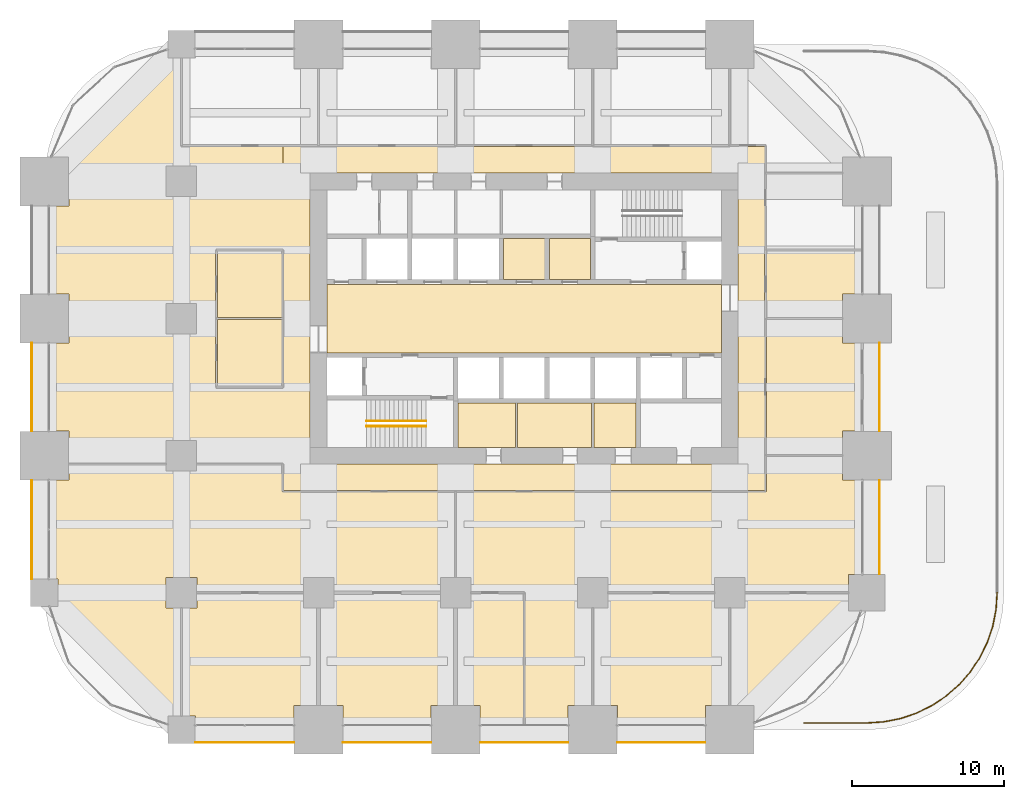
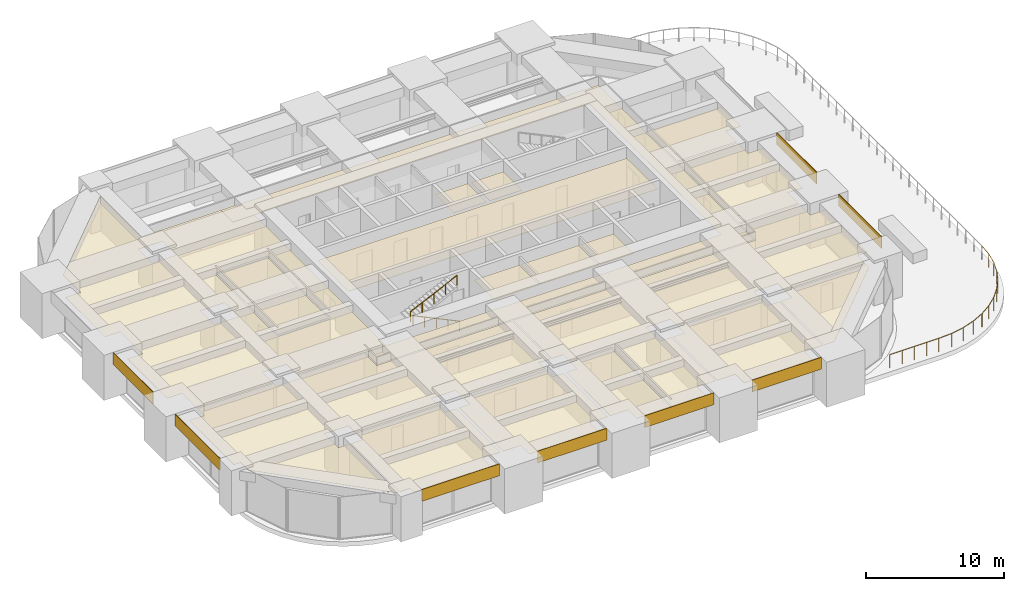
# One storey, part 34 of 35: 27 coverings, 3 railings.
"""IFC4 building model written with IfcOpenShell, lengths in metres."""

from ifc_helpers import new_model, si_unit, direction, frame, frame_2d, origin, origin_2d, place, context, subcontext, project, spatial, polyline, rectangle, circle, outline, extrude, material, layer, layer_set, type_object, element, save


model = new_model("IFC4")

# Units and contexts
model_context = context("Model", 3, precision=1e-05, world=origin(), true_north=direction((0.0, 1.0)))
body_context = subcontext(model_context, "Body", "Model", "MODEL_VIEW")
ifc_project = project(units=[si_unit("LENGTHUNIT", "METRE"), si_unit("AREAUNIT", "SQUARE_METRE"), si_unit("VOLUMEUNIT", "CUBIC_METRE"), si_unit("PLANEANGLEUNIT", "RADIAN"), si_unit("MASSUNIT", "GRAM", prefix="KILO")], contexts=[model_context])

# Site, building, storey
site_placement = place(None, origin())
site = spatial("IfcSite", under=ifc_project, at=site_placement, CompositionType="ELEMENT")
building_placement = place(site_placement, origin())
building = spatial("IfcBuilding", under=site, at=building_placement, Name="Zorevar Civic Tower", CompositionType="ELEMENT")
storey_placement = place(building_placement, frame((0.0, 0.0, 162.199951171875)))
storey = spatial("IfcBuildingStorey", under=building, at=storey_placement, Name="L39", CompositionType="ELEMENT", Elevation=162.199951171875)

# Railings
ifc_material_1 = material(Name="Black steel posts and laminated glass", Category="steel")
railing_type_1 = type_object("IfcRailingType", Name="Guard GR1 1200", PredefinedType="GUARDRAIL", material=ifc_material_1)
railing_1_placement = place(storey_placement, frame((62.550048828125, 9.0146484375, 0.0)))
element("IfcRailing", 1, at=railing_1_placement, inside=storey, type_object=railing_type_1, Name="Guard GR1 L39", PredefinedType="GUARDRAIL", context=body_context, shape_type="SweptSolid", body=[
    extrude(circle(Radius=0.02392578125, at=origin_2d()), frame((0.0, 0.0, 1.17578125), z_axis=(-0.065503586587, -0.997852333837, 0.0), x_axis=(0.997852333837, -0.065503586587, 0.0)), (0.0, 0.0, 1.0), 1.133056640625),
    extrude(circle(Radius=0.02392578125, at=origin_2d()), frame((-0.07421875, -1.130615234375, 1.17578125), z_axis=(-0.194982288456, -0.980806763429, 0.0), x_axis=(0.980806763429, -0.194982288456, 0.0)), (0.0, 0.0, 1.0), 1.1181640625),
    extrude(circle(Radius=0.02392578125, at=origin_2d()), frame((-0.292236328125, -2.227294921875, 1.17578125), z_axis=(-0.321593506374, -0.946877825624, 0.0), x_axis=(0.946877825624, -0.321593506374, 0.0)), (0.0, 0.0, 1.0), 1.1181640625),
    extrude(circle(Radius=0.02392578125, at=origin_2d()), frame((-0.65185546875, -3.2861328125, 1.17578125), z_axis=(-0.442316540366, -0.896859006823, 0.0), x_axis=(0.896859006823, -0.442316540366, 0.0)), (0.0, 0.0, 1.0), 1.1181640625),
    extrude(circle(Radius=0.02392578125, at=origin_2d()), frame((-1.146484375, -4.2890625, 1.17578125), z_axis=(-0.555405337512, -0.831579768311, 0.0), x_axis=(0.831579768311, -0.555405337512, 0.0)), (0.0, 0.0, 1.0), 1.1181640625),
    extrude(circle(Radius=0.02392578125, at=origin_2d()), frame((-1.767578125, -5.218994140625, 1.17578125), z_axis=(-0.659307936578, -0.751873024363, 0.0), x_axis=(0.751873024363, -0.659307936578, 0.0)), (0.0, 0.0, 1.0), 1.118408203125),
    extrude(circle(Radius=0.02392578125, at=origin_2d()), frame((-2.5048828125, -6.059814453125, 1.17578125), z_axis=(-0.751873024363, -0.659307936578, 0.0), x_axis=(0.659307936578, -0.751873024363, 0.0)), (0.0, 0.0, 1.0), 1.118408203125),
    extrude(circle(Radius=0.02392578125, at=origin_2d()), frame((-3.345703125, -6.797119140625, 1.17578125), z_axis=(-0.831579768311, -0.555405337512, 0.0), x_axis=(0.555405337512, -0.831579768311, 0.0)), (0.0, 0.0, 1.0), 1.1181640625),
    extrude(circle(Radius=0.02392578125, at=origin_2d()), frame((-4.275634765625, -7.418212890625, 1.17578125), z_axis=(-0.896859006823, -0.442316540366, 0.0), x_axis=(0.442316540366, -0.896859006823, 0.0)), (0.0, 0.0, 1.0), 1.1181640625),
    extrude(circle(Radius=0.02392578125, at=origin_2d()), frame((-5.278564453125, -7.912841796875, 1.17578125), z_axis=(-0.946877825624, -0.321593506374, 0.0), x_axis=(0.321593506374, -0.946877825624, 0.0)), (0.0, 0.0, 1.0), 1.1181640625),
    extrude(circle(Radius=0.02392578125, at=origin_2d()), frame((-6.33740234375, -8.2724609375, 1.17578125), z_axis=(-0.980806763429, -0.194982288456, 0.0), x_axis=(0.194982288456, -0.980806763429, 0.0)), (0.0, 0.0, 1.0), 1.1181640625),
    extrude(circle(Radius=0.02392578125, at=origin_2d()), frame((-7.43408203125, -8.490478515625, 1.17578125), z_axis=(-0.997852333837, -0.065503586587, 0.0), x_axis=(0.065503586587, -0.997852333837, 0.0)), (0.0, 0.0, 1.0), 1.133056640625),
    extrude(circle(Radius=0.02392578125, at=origin_2d()), frame((-8.564697265625, -8.564697265625, 1.17578125), z_axis=(-1.0, 0.0, 0.0), x_axis=(0.0, -1.0, 0.0)), (0.0, 0.0, 1.0), 4.09619140625),
    extrude(circle(Radius=0.02099609375, at=origin_2d()), origin(), (0.0, 0.0, 1.0), 1.15185546875),
    extrude(circle(Radius=0.02099609375, at=origin_2d()), frame((-0.07421875, -1.130615234375, 0.0)), (0.0, 0.0, 1.0), 1.15185546875),
    extrude(circle(Radius=0.02099609375, at=origin_2d()), frame((-0.292236328125, -2.227294921875, 0.0)), (0.0, 0.0, 1.0), 1.15185546875),
    extrude(circle(Radius=0.02099609375, at=origin_2d()), frame((-0.65185546875, -3.2861328125, 0.0)), (0.0, 0.0, 1.0), 1.15185546875),
    extrude(circle(Radius=0.02099609375, at=origin_2d()), frame((-1.146484375, -4.2890625, 0.0)), (0.0, 0.0, 1.0), 1.15185546875),
    extrude(circle(Radius=0.02099609375, at=origin_2d()), frame((-1.767578125, -5.218994140625, 0.0)), (0.0, 0.0, 1.0), 1.15185546875),
    extrude(circle(Radius=0.02099609375, at=origin_2d()), frame((-2.5048828125, -6.059814453125, 0.0)), (0.0, 0.0, 1.0), 1.15185546875),
    extrude(circle(Radius=0.02099609375, at=origin_2d()), frame((-3.345703125, -6.797119140625, 0.0)), (0.0, 0.0, 1.0), 1.15185546875),
    extrude(circle(Radius=0.02099609375, at=origin_2d()), frame((-4.275634765625, -7.418212890625, 0.0)), (0.0, 0.0, 1.0), 1.15185546875),
    extrude(circle(Radius=0.02099609375, at=origin_2d()), frame((-5.278564453125, -7.912841796875, 0.0)), (0.0, 0.0, 1.0), 1.15185546875),
    extrude(circle(Radius=0.02099609375, at=origin_2d()), frame((-6.33740234375, -8.2724609375, 0.0)), (0.0, 0.0, 1.0), 1.15185546875),
    extrude(circle(Radius=0.02099609375, at=origin_2d()), frame((-7.43408203125, -8.490478515625, 0.0)), (0.0, 0.0, 1.0), 1.15185546875),
    extrude(circle(Radius=0.02099609375, at=origin_2d()), frame((-8.564697265625, -8.564697265625, 0.0)), (0.0, 0.0, 1.0), 1.15185546875),
    extrude(circle(Radius=0.02099609375, at=origin_2d()), frame((-9.5888671875, -8.564697265625, 0.0)), (0.0, 0.0, 1.0), 1.15185546875),
    extrude(circle(Radius=0.02099609375, at=origin_2d()), frame((-10.61279296875, -8.564697265625, 0.0)), (0.0, 0.0, 1.0), 1.15185546875),
    extrude(circle(Radius=0.02099609375, at=origin_2d()), frame((-11.63671875, -8.564697265625, 0.0)), (0.0, 0.0, 1.0), 1.15185546875),
    extrude(circle(Radius=0.02099609375, at=origin_2d()), frame((-12.660888671875, -8.564697265625, 0.0)), (0.0, 0.0, 1.0), 1.15185546875),
])
ifc_material_2 = material(Name="Black steel handrail", Category="steel")
railing_type_2 = type_object("IfcRailingType", Name="Handrail HR1 900", PredefinedType="HANDRAIL", material=ifc_material_2)
railing_2_placement = place(storey_placement, frame((25.050048828125, 19.925048828125, 0.142822265625)))
element("IfcRailing", 2, at=railing_2_placement, inside=storey, type_object=railing_type_2, Name="Handrail HR1 ST1 L39", PredefinedType="HANDRAIL", context=body_context, shape_type="SweptSolid", body=[
    extrude(circle(Radius=0.02392578125, at=origin_2d()), frame((0.0, 0.0, 0.8759765625), z_axis=(-0.902863652845, 0.0, 0.429926998885), x_axis=(0.0, -1.0, 0.0)), (0.0, 0.0, 1.0), 4.31982421875),
    extrude(circle(Radius=0.02099609375, at=origin_2d()), origin(), (0.0, 0.0, 1.0), 0.851806640625),
    extrude(circle(Radius=0.02099609375, at=origin_2d()), frame((-0.97509765625, 0.0, 0.46435546875)), (0.0, 0.0, 1.0), 0.851806640625),
    extrude(circle(Radius=0.02099609375, at=origin_2d()), frame((-1.9501953125, 0.0, 0.9287109375)), (0.0, 0.0, 1.0), 0.851806640625),
    extrude(circle(Radius=0.02099609375, at=origin_2d()), frame((-2.925048828125, 0.0, 1.392822265625)), (0.0, 0.0, 1.0), 0.851806640625),
    extrude(circle(Radius=0.02099609375, at=origin_2d()), frame((-3.900146484375, 0.0, 1.857177734375)), (0.0, 0.0, 1.0), 0.851806640625),
])
railing_3_placement = place(storey_placement, frame((21.14990234375, 20.27490234375, 2.142822265625)))
element("IfcRailing", 3, at=railing_3_placement, inside=storey, type_object=railing_type_2, Name="Handrail HR1 ST1 L39", PredefinedType="HANDRAIL", context=body_context, shape_type="SweptSolid", body=[
    extrude(circle(Radius=0.02392578125, at=origin_2d()), frame((0.0, 0.0, 0.8759765625), z_axis=(0.902863652845, 0.0, 0.429926998885), x_axis=(0.0, 1.0, 0.0)), (0.0, 0.0, 1.0), 4.31982421875),
    extrude(circle(Radius=0.02099609375, at=origin_2d()), origin(), (0.0, 0.0, 1.0), 0.851806640625),
    extrude(circle(Radius=0.02099609375, at=origin_2d()), frame((0.97509765625, 0.0, 0.46435546875)), (0.0, 0.0, 1.0), 0.851806640625),
    extrude(circle(Radius=0.02099609375, at=origin_2d()), frame((1.9501953125, 0.0, 0.9287109375)), (0.0, 0.0, 1.0), 0.851806640625),
    extrude(circle(Radius=0.02099609375, at=origin_2d()), frame((2.925048828125, 0.0, 1.392822265625)), (0.0, 0.0, 1.0), 0.851806640625),
    extrude(circle(Radius=0.02099609375, at=origin_2d()), frame((3.900146484375, 0.0, 1.857177734375)), (0.0, 0.0, 1.0), 0.851806640625),
])

# Coverings
ifc_material_3 = material(Name="Moisture-resistant gypsum board")
ifc_layer_1 = layer(ifc_material_3, 0.012451171875)
ifc_layer_set_1 = layer_set([ifc_layer_1], Name="Moisture-resistant ceiling SC3")
covering_type_1 = type_object("IfcCoveringType", Name="Moisture-resistant ceiling SC3", PredefinedType="CEILING", material=ifc_layer_set_1)
covering_1_placement = place(storey_placement, frame((0.0, 0.0, 3.0)))
element("IfcCovering", 4, at=covering_1_placement, inside=storey, type_object=covering_type_1, Name="Ceiling L39-05", PredefinedType="CEILING", context=body_context, shape_type="SweptSolid", body=[
    extrude(outline(polyline([(30.925048828125, 18.550048828125), (30.925048828125, 21.449951171875), (27.14990234375, 21.449951171875), (27.14990234375, 18.550048828125), (30.925048828125, 18.550048828125)])), origin(), (0.0, 0.0, 1.0), 0.012451171875),
])
covering_2_placement = place(storey_placement, frame((0.0, 0.0, 3.0)))
element("IfcCovering", 5, at=covering_2_placement, inside=storey, type_object=covering_type_1, Name="Ceiling L39-06", PredefinedType="CEILING", context=body_context, shape_type="SweptSolid", body=[
    extrude(outline(polyline([(35.925048828125, 18.550048828125), (35.925048828125, 21.449951171875), (31.074951171875, 21.449951171875), (31.074951171875, 18.550048828125), (35.925048828125, 18.550048828125)])), origin(), (0.0, 0.0, 1.0), 0.012451171875),
])
covering_3_placement = place(storey_placement, frame((0.0, 0.0, 3.0)))
element("IfcCovering", 6, at=covering_3_placement, inside=storey, type_object=covering_type_1, Name="Ceiling L39-07", PredefinedType="CEILING", context=body_context, shape_type="SweptSolid", body=[
    extrude(outline(polyline([(38.85009765625, 18.550048828125), (38.85009765625, 21.449951171875), (36.074951171875, 21.449951171875), (36.074951171875, 18.550048828125), (38.85009765625, 18.550048828125)])), origin(), (0.0, 0.0, 1.0), 0.012451171875),
])
ifc_material_4 = material(Name="Black anodised aluminium spandrel panel", Category="aluminium")
ifc_layer_2 = layer(ifc_material_4, 0.050048828125)
ifc_layer_set_2 = layer_set([ifc_layer_2], Name="Spandrel cladding SP1")
covering_type_2 = type_object("IfcCoveringType", Name="Spandrel cladding SP1", PredefinedType="CLADDING", material=ifc_layer_set_2)
covering_4_placement = place(storey_placement, frame((9.89990234375, -0.824951171875, 2.949951171875), z_axis=(0.0, 0.0, 1.0), x_axis=(1.0, 0.0, 0.0)))
element("IfcCovering", 7, at=covering_4_placement, inside=storey, type_object=covering_type_2, Name="Spandrel cladding L40", PredefinedType="CLADDING", context=body_context, shape_type="SweptSolid", body=[
    extrude(rectangle(XDim=6.5, YDim=0.050048828125, at=frame_2d((3.25, 0.0))), origin(), (0.0, 0.0, 1.0), 1.050048828125),
])
for number, where, z_axis, x_axis, name in (
    (8, (19.60009765625, -0.824951171875, 2.949951171875), (0.0, 0.0, 1.0), (1.0, 0.0, 0.0), "Spandrel cladding L40"),
    (9, (28.60009765625, -0.824951171875, 2.949951171875), (0.0, 0.0, 1.0), (1.0, 0.0, 0.0), "Spandrel cladding L40"),
    (10, (37.60009765625, -0.824951171875, 2.949951171875), (0.0, 0.0, 1.0), (1.0, 0.0, 0.0), "Spandrel cladding L40"),
):
    element("IfcCovering", number, at=place(storey_placement, frame(where, z_axis=z_axis, x_axis=x_axis)), inside=storey, type_object=covering_type_2, Name=name, PredefinedType="CLADDING", context=body_context, shape_type="SweptSolid", body=[
        extrude(rectangle(XDim=5.7998046875, YDim=0.050048828125, at=frame_2d((2.89990234375, 0.0))), origin(), (0.0, 0.0, 1.0), 1.050048828125),
    ])
covering_5_placement = place(storey_placement, frame((-0.824951171875, 9.89990234375, 2.949951171875), z_axis=(0.0, 0.0, 1.0), x_axis=(0.0, 1.0, 0.0)))
element("IfcCovering", 11, at=covering_5_placement, inside=storey, type_object=covering_type_2, Name="Spandrel cladding L40", PredefinedType="CLADDING", context=body_context, shape_type="SweptSolid", body=[
    extrude(rectangle(XDim=6.5, YDim=0.050048828125, at=frame_2d((3.25, 0.0))), origin(), (0.0, 0.0, 1.0), 1.050048828125),
])
covering_6_placement = place(storey_placement, frame((-0.824951171875, 19.60009765625, 2.949951171875), z_axis=(0.0, 0.0, 1.0), x_axis=(0.0, 1.0, 0.0)))
element("IfcCovering", 12, at=covering_6_placement, inside=storey, type_object=covering_type_2, Name="Spandrel cladding L40", PredefinedType="CLADDING", context=body_context, shape_type="SweptSolid", body=[
    extrude(rectangle(XDim=5.7998046875, YDim=0.050048828125, at=frame_2d((2.89990234375, 0.0))), origin(), (0.0, 0.0, 1.0), 1.050048828125),
])
covering_7_placement = place(storey_placement, frame((54.824951171875, 10.199951171875, 2.949951171875), z_axis=(0.0, 0.0, 1.0), x_axis=(0.0, 1.0, 0.0)))
element("IfcCovering", 13, at=covering_7_placement, inside=storey, type_object=covering_type_2, Name="Spandrel cladding L40", PredefinedType="CLADDING", context=body_context, shape_type="SweptSolid", body=[
    extrude(rectangle(XDim=6.199951171875, YDim=0.050048828125, at=frame_2d((3.10009765625, 0.0))), origin(), (0.0, 0.0, 1.0), 1.050048828125),
])
covering_8_placement = place(storey_placement, frame((54.824951171875, 19.60009765625, 2.949951171875), z_axis=(0.0, 0.0, 1.0), x_axis=(0.0, 1.0, 0.0)))
element("IfcCovering", 14, at=covering_8_placement, inside=storey, type_object=covering_type_2, Name="Spandrel cladding L40", PredefinedType="CLADDING", context=body_context, shape_type="SweptSolid", body=[
    extrude(rectangle(XDim=5.7998046875, YDim=0.050048828125, at=frame_2d((2.89990234375, 0.0))), origin(), (0.0, 0.0, 1.0), 1.050048828125),
])
ifc_material_5 = material(Name="Mineral fibre tiles on a concealed grid")
ifc_layer_3 = layer(ifc_material_5, 0.02001953125)
ifc_layer_set_3 = layer_set([ifc_layer_3], Name="Suspended ceiling SC1")
covering_type_3 = type_object("IfcCoveringType", Name="Suspended ceiling SC1", PredefinedType="CEILING", material=ifc_layer_set_3)
covering_9_placement = place(storey_placement, frame((0.0, 0.0, 3.0)))
element("IfcCovering", 15, at=covering_9_placement, inside=storey, type_object=covering_type_3, Name="Ceiling L39-16", PredefinedType="CEILING", context=body_context, shape_type="SweptSolid", body=[
    extrude(outline(polyline([(44.449951171875, 24.75), (44.449951171875, 29.25), (18.550048828125, 29.25), (18.550048828125, 24.75), (44.449951171875, 24.75)])), origin(), (0.0, 0.0, 1.0), 0.02001953125),
])
covering_10_placement = place(storey_placement, frame((0.0, 0.0, 3.0)))
element("IfcCovering", 16, at=covering_10_placement, inside=storey, type_object=covering_type_3, Name="Ceiling L39-17", PredefinedType="CEILING", context=body_context, shape_type="SweptSolid", body=[
    extrude(outline(polyline([(35.85009765625, 29.550048828125), (35.85009765625, 32.25), (33.14990234375, 32.25), (33.14990234375, 29.550048828125), (35.85009765625, 29.550048828125)])), origin(), (0.0, 0.0, 1.0), 0.02001953125),
])
covering_11_placement = place(storey_placement, frame((0.0, 0.0, 3.0)))
element("IfcCovering", 17, at=covering_11_placement, inside=storey, type_object=covering_type_3, Name="Ceiling L39-18", PredefinedType="CEILING", context=body_context, shape_type="SweptSolid", body=[
    extrude(outline(polyline([(32.85009765625, 29.550048828125), (32.85009765625, 32.25), (30.14990234375, 32.25), (30.14990234375, 29.550048828125), (32.85009765625, 29.550048828125)])), origin(), (0.0, 0.0, 1.0), 0.02001953125),
])
covering_12_placement = place(storey_placement, frame((0.0, 0.0, 3.0)))
element("IfcCovering", 18, at=covering_12_placement, inside=storey, type_object=covering_type_3, Name="Ceiling L39-19", PredefinedType="CEILING", context=body_context, shape_type="SweptSolid", body=[
    extrude(outline(polyline([(53.64990234375, 19.610107421875), (52.389892578125, 19.610107421875), (52.389892578125, 18.050048828125), (47.39990234375, 18.050048828125), (47.39990234375, 26.93994140625), (52.389892578125, 26.93994140625), (52.389892578125, 25.389892578125), (53.64990234375, 25.389892578125), (53.64990234375, 19.610107421875)])), origin(), (0.0, 0.0, 1.0), 0.02001953125),
])
covering_13_placement = place(storey_placement, frame((0.0, 0.0, 3.0)))
element("IfcCovering", 19, at=covering_13_placement, inside=storey, type_object=covering_type_3, Name="Ceiling L39-20", PredefinedType="CEILING", context=body_context, shape_type="SweptSolid", body=[
    extrude(outline(polyline([(47.409912109375, 31.43994140625), (53.64990234375, 31.43994140625), (53.64990234375, 28.610107421875), (52.389892578125, 28.610107421875), (52.389892578125, 27.06005859375), (47.409912109375, 27.06005859375), (47.409912109375, 31.43994140625)])), origin(), (0.0, 0.0, 1.0), 0.02001953125),
])
covering_14_placement = place(storey_placement, frame((0.0, 0.0, 3.0)))
element("IfcCovering", 20, at=covering_14_placement, inside=storey, type_object=covering_type_3, Name="Ceiling L39-21", PredefinedType="CEILING", context=body_context, shape_type="SweptSolid", body=[
    extrude(outline(polyline([(9.06005859375, 0.909912109375), (9.06005859375, 7.989990234375), (10.010009765625, 7.989990234375), (10.010009765625, 8.93994140625), (16.989990234375, 8.93994140625), (16.989990234375, 7.989990234375), (17.875, 7.989990234375), (17.875, 1.610107421875), (16.389892578125, 1.610107421875), (16.389892578125, 0.35009765625), (9.909912109375, 0.35009765625), (9.909912109375, 0.909912109375), (9.06005859375, 0.909912109375)])), origin(), (0.0, 0.0, 1.0), 0.02001953125),
])
covering_15_placement = place(storey_placement, frame((0.0, 0.0, 3.0)))
element("IfcCovering", 21, at=covering_15_placement, inside=storey, type_object=covering_type_3, Name="Ceiling L39-22", PredefinedType="CEILING", context=body_context, shape_type="SweptSolid", body=[
    extrude(outline(polyline([(18.125, 1.610107421875), (18.125, 7.989990234375), (19.010009765625, 7.989990234375), (19.010009765625, 8.875), (25.989990234375, 8.875), (25.989990234375, 7.989990234375), (26.875, 7.989990234375), (26.875, 1.610107421875), (25.389892578125, 1.610107421875), (25.389892578125, 0.35009765625), (19.610107421875, 0.35009765625), (19.610107421875, 1.610107421875), (18.125, 1.610107421875)])), origin(), (0.0, 0.0, 1.0), 0.02001953125),
])
covering_16_placement = place(storey_placement, frame((0.0, 0.0, 3.0)))
element("IfcCovering", 22, at=covering_16_placement, inside=storey, type_object=covering_type_3, Name="Ceiling L39-23", PredefinedType="CEILING", context=body_context, shape_type="SweptSolid", body=[
    extrude(outline(polyline([(28.610107421875, 0.35009765625), (28.610107421875, 1.610107421875), (27.125, 1.610107421875), (27.125, 7.989990234375), (28.010009765625, 7.989990234375), (28.010009765625, 8.93994140625), (31.43994140625, 8.93994140625), (31.43994140625, 0.35009765625), (28.610107421875, 0.35009765625)])), origin(), (0.0, 0.0, 1.0), 0.02001953125),
])
covering_17_placement = place(storey_placement, frame((0.0, 0.0, 3.0)))
element("IfcCovering", 23, at=covering_17_placement, inside=storey, type_object=covering_type_3, Name="Ceiling L39-24", PredefinedType="CEILING", context=body_context, shape_type="SweptSolid", body=[
    extrude(outline(polyline([(36.06005859375, 1.610107421875), (36.06005859375, 7.989990234375), (37.010009765625, 7.989990234375), (37.010009765625, 8.93994140625), (43.989990234375, 8.93994140625), (43.989990234375, 7.989990234375), (44.93994140625, 7.989990234375), (44.93994140625, 1.610107421875), (43.389892578125, 1.610107421875), (43.389892578125, 0.35009765625), (37.610107421875, 0.35009765625), (37.610107421875, 1.610107421875), (36.06005859375, 1.610107421875)])), origin(), (0.0, 0.0, 1.0), 0.02001953125),
])
covering_18_placement = place(storey_placement, frame((0.0, 0.0, 3.0)))
element("IfcCovering", 24, at=covering_18_placement, inside=storey, type_object=covering_type_3, Name="Ceiling L39-25", PredefinedType="CEILING", context=body_context, shape_type="SweptSolid", body=[
    extrude(outline(polyline([(45.06005859375, 1.610107421875), (45.06005859375, 7.989990234375), (46.010009765625, 7.989990234375), (46.010009765625, 8.93994140625), (52.7900390625, 8.93994140625), (52.7900390625, 8.4970703125), (45.90283203125, 1.610107421875), (45.06005859375, 1.610107421875)])), origin(), (0.0, 0.0, 1.0), 0.02001953125),
])
covering_19_placement = place(storey_placement, frame((0.0, 0.0, 3.0)))
element("IfcCovering", 25, at=covering_19_placement, inside=storey, type_object=covering_type_3, Name="Ceiling L39-29", PredefinedType="CEILING", context=body_context, shape_type="SweptSolid", body=[
    extrude(outline(polyline([(15.590087890625, 26.93994140625), (15.590087890625, 22.56005859375), (11.360107421875, 22.56005859375), (11.360107421875, 26.93994140625), (15.590087890625, 26.93994140625)])), origin(), (0.0, 0.0, 1.0), 0.02001953125),
])
covering_20_placement = place(storey_placement, frame((0.0, 0.0, 3.0)))
element("IfcCovering", 26, at=covering_20_placement, inside=storey, type_object=covering_type_3, Name="Ceiling L39-30", PredefinedType="CEILING", context=body_context, shape_type="SweptSolid", body=[
    extrude(outline(polyline([(11.360107421875, 27.06005859375), (11.360107421875, 31.43994140625), (15.590087890625, 31.43994140625), (15.590087890625, 27.06005859375), (11.360107421875, 27.06005859375)])), origin(), (0.0, 0.0, 1.0), 0.02001953125),
])
covering_21_placement = place(storey_placement, frame((0.0, 0.0, 3.0)))
element("IfcCovering", 27, at=covering_21_placement, inside=storey, type_object=covering_type_3, Name="Ceiling L39-31", PredefinedType="CEILING", context=body_context, shape_type="SweptSolid", body=[
    extrude(outline(polyline([(15.64990234375, 38.2900390625), (27.0, 38.2900390625), (27.0, 38.300048828125), (36.0, 38.300048828125), (36.0, 38.2900390625), (45.0, 38.2900390625), (45.0, 38.300048828125), (47.300048828125, 38.300048828125), (47.300048828125, 31.5), (47.2900390625, 31.5), (47.2900390625, 27.0), (47.300048828125, 27.0), (47.300048828125, 15.699951171875), (15.699951171875, 15.699951171875), (15.699951171875, 17.449951171875), (45.550048828125, 17.449951171875), (45.550048828125, 36.550048828125), (15.64990234375, 36.550048828125), (15.64990234375, 38.2900390625)])), origin(), (0.0, 0.0, 1.0), 0.02001953125),
])
covering_22_placement = place(storey_placement, frame((0.0, 0.0, 3.0)))
element("IfcCovering", 28, at=covering_22_placement, inside=storey, type_object=covering_type_3, Name="Ceiling L39-35", PredefinedType="CEILING", context=body_context, shape_type="SweptSolid", body=[
    extrude(outline(polyline([(1.610107421875, 16.389892578125), (1.610107421875, 17.39990234375), (7.989990234375, 17.39990234375), (7.989990234375, 16.989990234375), (10.010009765625, 16.989990234375), (10.010009765625, 17.39990234375), (15.60009765625, 17.39990234375), (15.60009765625, 15.64990234375), (15.64990234375, 15.64990234375), (15.64990234375, 15.60009765625), (26.949951171875, 15.60009765625), (26.949951171875, 10.010009765625), (25.989990234375, 10.010009765625), (25.989990234375, 9.125), (19.010009765625, 9.125), (19.010009765625, 10.010009765625), (16.989990234375, 10.010009765625), (16.989990234375, 9.06005859375), (10.010009765625, 9.06005859375), (10.010009765625, 10.010009765625), (7.989990234375, 10.010009765625), (7.989990234375, 7.989990234375), (8.93994140625, 7.989990234375), (8.93994140625, 0.909912109375), (8.797119140625, 0.909912109375), (0.909912109375, 8.797119140625), (0.909912109375, 9.909912109375), (0.35009765625, 9.909912109375), (0.35009765625, 16.389892578125), (1.610107421875, 16.389892578125)])), origin(), (0.0, 0.0, 1.0), 0.02001953125),
])
covering_23_placement = place(storey_placement, frame((0.0, 0.0, 3.0)))
element("IfcCovering", 29, at=covering_23_placement, inside=storey, type_object=covering_type_3, Name="Ceiling L39-36", PredefinedType="CEILING", context=body_context, shape_type="SweptSolid", body=[
    extrude(outline(polyline([(47.35107421875, 15.64892578125), (47.40087890625, 15.64990234375), (47.400146484375, 17.949951171875), (52.389892578125, 17.949951171875), (52.389892578125, 16.389892578125), (53.64892578125, 16.389892578125), (53.64892578125, 10.2099609375), (52.7900390625, 10.2099609375), (52.7900390625, 9.06103515625), (46.010009765625, 9.06103515625), (46.010009765625, 10.010009765625), (43.989990234375, 10.010009765625), (43.989990234375, 9.06103515625), (37.010009765625, 9.06103515625), (37.010009765625, 10.010009765625), (34.989990234375, 10.010009765625), (34.989990234375, 7.989990234375), (35.93896484375, 7.989990234375), (35.93896484375, 1.610107421875), (34.389892578125, 1.610107421875), (34.389892578125, 0.35107421875), (31.56103515625, 0.35107421875), (31.56103515625, 9.0), (31.5009765625, 9.0009765625), (31.5009765625, 9.060546875), (28.010009765625, 9.06103515625), (28.010009765625, 10.010009765625), (27.051025390625, 10.010009765625), (27.051025390625, 15.59912109375), (47.35009765625, 15.59912109375), (47.35107421875, 15.64892578125)])), origin(), (0.0, 0.0, 1.0), 0.02001953125),
])
covering_24_placement = place(storey_placement, frame((0.0, 0.0, 3.0)))
element("IfcCovering", 30, at=covering_24_placement, inside=storey, type_object=covering_type_3, Name="Ceiling L39-37", PredefinedType="CEILING", context=body_context, shape_type="SweptSolid", body=[
    extrude(outline(polyline([(8.93994140625, 44.090087890625), (8.93994140625, 38.35107421875), (9.0, 38.35009765625), (9.000244140625, 38.290283203125), (15.64990234375, 38.2900390625), (15.650390625, 36.54931640625), (17.448974609375, 36.549072265625), (17.448974609375, 17.450927734375), (15.65087890625, 17.450927734375), (15.64990234375, 17.5009765625), (10.010009765625, 17.5009765625), (10.010009765625, 19.010009765625), (7.989990234375, 19.010009765625), (7.989990234375, 17.5009765625), (1.610107421875, 17.5009765625), (1.610107421875, 19.610107421875), (0.35107421875, 19.610107421875), (0.35107421875, 25.389892578125), (1.610107421875, 25.389892578125), (1.610107421875, 28.610107421875), (0.35107421875, 28.610107421875), (0.35107421875, 34.389892578125), (1.610107421875, 34.389892578125), (1.610107421875, 36.90283203125), (8.797119140625, 44.090087890625), (8.93994140625, 44.090087890625)]), holes=[polyline([(11.239013671875, 31.5), (11.239013671875, 22.49951171875), (11.299072265625, 22.4990234375), (11.300048828125, 22.43896484375), (15.650634765625, 22.439208984375), (15.65087890625, 22.4990234375), (15.7109375, 22.5), (15.7109375, 31.50048828125), (15.65087890625, 31.5009765625), (15.64990234375, 31.56103515625), (11.299560546875, 31.560791015625), (11.299072265625, 31.5009765625), (11.239013671875, 31.5)]), polyline([(10.010009765625, 25.989990234375), (10.010009765625, 28.010009765625), (7.989990234375, 28.010009765625), (7.989990234375, 25.989990234375), (10.010009765625, 25.989990234375)]), polyline([(7.989990234375, 34.989990234375), (10.010009765625, 34.989990234375), (10.010009765625, 37.010009765625), (7.989990234375, 37.010009765625), (7.989990234375, 34.989990234375)])]), origin(), (0.0, 0.0, 1.0), 0.02001953125),
])

save(model, "model.ifc")
